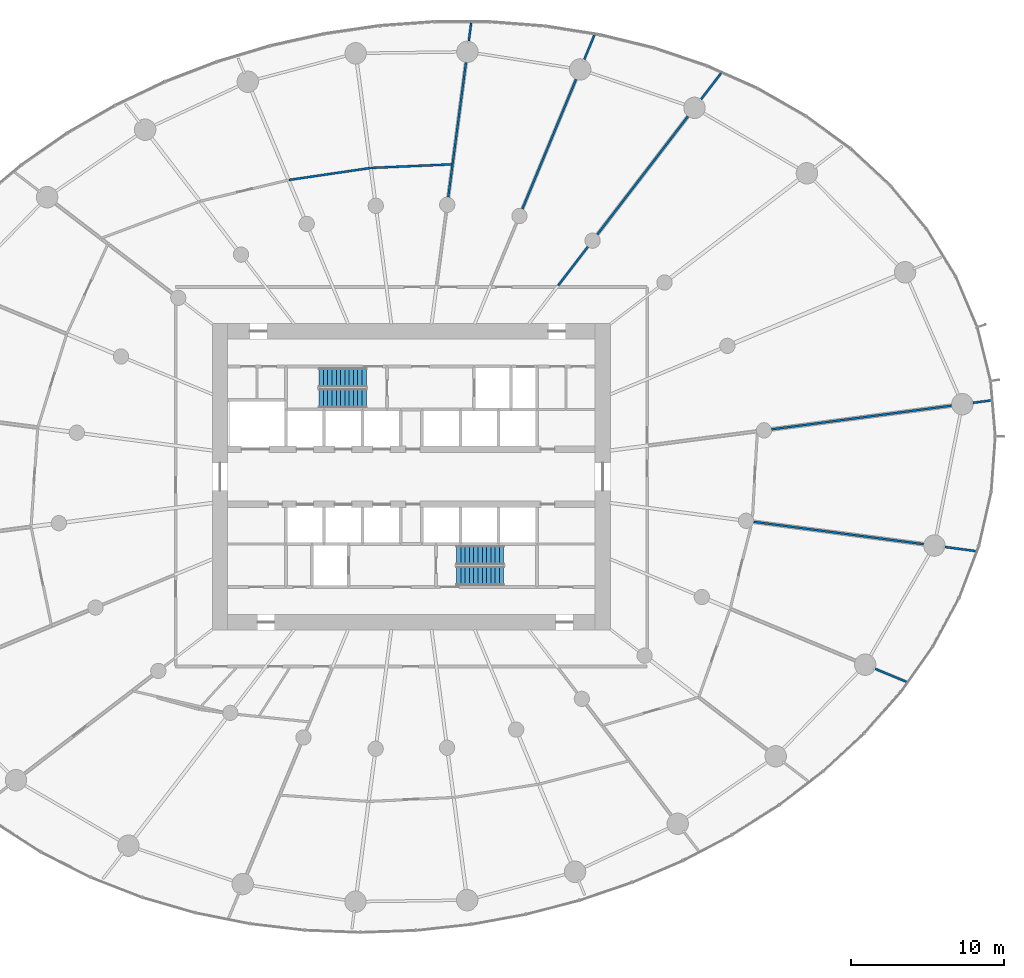
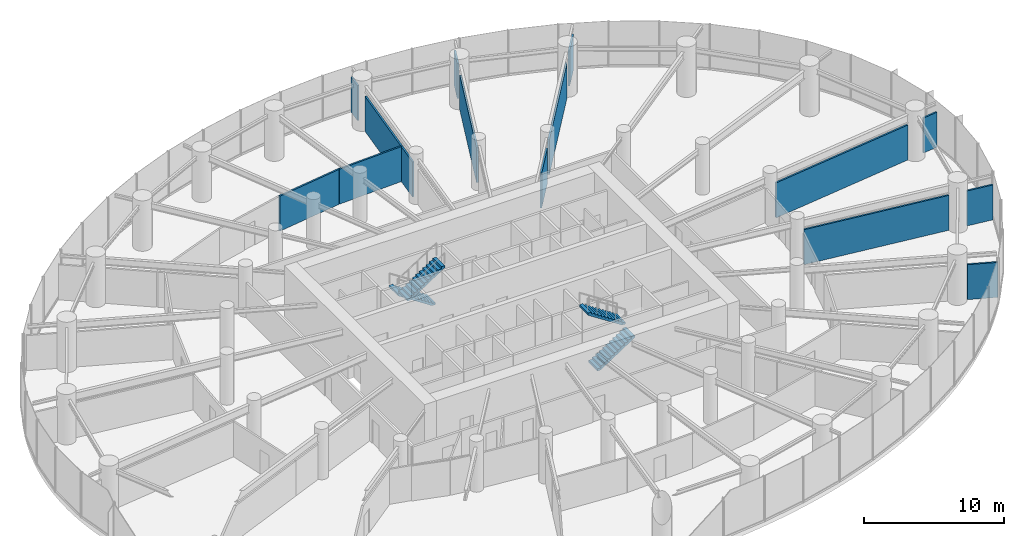
# One storey, part 16 of 19: 15 walls, 4 stair flights, 2 elements without a shape of their own.
"""IFC4 building model written with IfcOpenShell, lengths in metres."""

import ifcopenshell
import ifcopenshell.guid

model = None  # the IFC model being written
_history = None  # IfcOwnerHistory: only IFC2X3 demands one
_inside = {}  # id of a spatial element -> (the spatial element, [elements in it])
_under = {}  # id of a project, library or spatial element -> (it, [spatial elements below it])
_declared = {}  # id of a project -> (the project, [libraries it declares])
_typed = {}  # id of a type object -> (the type object, [elements of that type])
_made_of = {}  # id of a material, layer set ... -> (it, [elements and type objects made of it])


def new_model(schema):
    """Start an empty IFC model of exactly this schema.

    Asked for "IFC4X3", IfcOpenShell would pick the latest addendum, in which some entities
    have other attributes; the version numbers below select the first issue.
    IFC2X3 requires an IfcOwnerHistory on every rooted entity: one is made here for all.
    """
    global model, _history
    if schema == "IFC4X3":
        model = ifcopenshell.file(schema_version=(4, 3, 0, 0))
    else:
        model = ifcopenshell.file(schema=schema)
    _inside.clear()
    _under.clear()
    _declared.clear()
    _typed.clear()
    _made_of.clear()
    _history = None
    if model.schema == "IFC2X3":
        org = make("IfcOrganization", Name="unknown")
        user = make(
            "IfcPersonAndOrganization",
            ThePerson=make("IfcPerson", FamilyName="unknown"),
            TheOrganization=org,
        )
        app = make(
            "IfcApplication",
            ApplicationDeveloper=org,
            Version="unknown",
            ApplicationFullName="unknown",
            ApplicationIdentifier="unknown",
        )
        _history = make(
            "IfcOwnerHistory",
            OwningUser=user,
            OwningApplication=app,
            ChangeAction="ADDED",
            CreationDate=0,
        )
    return model


def make(cls, **values):
    """One entity of the class cls with the attributes given. An attribute that is None is left unset."""
    return model.create_entity(
        cls, **{name: value for name, value in values.items() if value is not None}
    )


def rooted(cls, **values):
    """An entity with a GlobalId (a new one), such as an element, a storey or a relation."""
    return make(cls, GlobalId=ifcopenshell.guid.new(), OwnerHistory=_history, **values)


def si_unit(unit_type, name, prefix=None):
    """IfcSIUnit, for example si_unit("LENGTHUNIT", "METRE", prefix="MILLI")."""
    return make("IfcSIUnit", UnitType=unit_type, Prefix=prefix, Name=name)


def assignment(units):
    """IfcUnitAssignment: the units of a project."""
    return None if units is None else make("IfcUnitAssignment", Units=units)


def point(xyz):
    """IfcCartesianPoint."""
    return None if xyz is None else make("IfcCartesianPoint", Coordinates=xyz)


def direction(xyz):
    """IfcDirection."""
    return None if xyz is None else make("IfcDirection", DirectionRatios=xyz)


def frame(location, z_axis=None, x_axis=None):
    """IfcAxis2Placement3D, a coordinate frame: its origin and axes. An axis left out is left unset."""
    return make(
        "IfcAxis2Placement3D",
        Location=point(location),
        Axis=direction(z_axis),
        RefDirection=direction(x_axis),
    )


def frame_2d(location, x_axis=None):
    """IfcAxis2Placement2D, a coordinate frame in the plane: its origin and x axis."""
    return make(
        "IfcAxis2Placement2D", Location=point(location), RefDirection=direction(x_axis)
    )


def origin():
    """The frame at (0, 0, 0) with its axes left unset."""
    return frame((0.0, 0.0, 0.0))


def place(relative_to, where):
    """IfcLocalPlacement: puts the frame where relative to a parent placement (None: the world)."""
    return make(
        "IfcLocalPlacement", PlacementRelTo=relative_to, RelativePlacement=where
    )


def context(
    kind, dimensions, precision=None, world=None, true_north=None, identifier=None
):
    """IfcGeometricRepresentationContext, for example the 3D "Model" context."""
    return make(
        "IfcGeometricRepresentationContext",
        ContextIdentifier=identifier,
        ContextType=kind,
        CoordinateSpaceDimension=dimensions,
        Precision=precision,
        WorldCoordinateSystem=world,
        TrueNorth=true_north,
    )


def subcontext(parent, identifier, kind, view, scale=None):
    """IfcGeometricRepresentationSubContext, for example "Body" below "Model"."""
    return make(
        "IfcGeometricRepresentationSubContext",
        ContextIdentifier=identifier,
        ContextType=kind,
        ParentContext=parent,
        TargetScale=scale,
        TargetView=view,
    )


def project(units=None, contexts=None):
    """IfcProject with its units and contexts."""
    return rooted(
        "IfcProject",
        Name="project",
        RepresentationContexts=contexts,
        UnitsInContext=assignment(units),
    )


def spatial(cls, under=None, at=None, **own):
    """A site, building, storey or space (cls), placed at a placement, below another one or the project."""
    s = rooted(cls, ObjectPlacement=at, **own)
    if under is not None:
        _under.setdefault(under.id(), (under, []))[1].append(s)
    return s


def point_list(points):
    """IfcCartesianPointList2D or 3D."""
    cls = (
        "IfcCartesianPointList2D" if len(points[0]) == 2 else "IfcCartesianPointList3D"
    )
    return make(cls, CoordList=points)


def line(*indices):
    """IfcLineIndex: a straight run through numbered points of an indexed curve."""
    return model.create_entity("IfcLineIndex", indices)


def indexed_curve(points, segments=None, self_intersect=None):
    """IfcIndexedPolyCurve: lines and arcs through numbered points (the first is 1)."""
    return make(
        "IfcIndexedPolyCurve",
        Points=point_list(points),
        Segments=segments,
        SelfIntersect=self_intersect,
    )


def profile(cls, at=None, kind="AREA", **sizes):
    """A parametric profile (cls). Its sizes go by their IFC names, for example OverallWidth=200.0."""
    return make(cls, ProfileType=kind, Position=at, **sizes)


def rectangle(**sizes):
    """IfcRectangleProfileDef."""
    return profile("IfcRectangleProfileDef", **sizes)


def outline(outer, holes=None, kind="AREA"):
    """IfcArbitraryClosedProfileDef: a profile drawn as a closed curve; with holes, ...WithVoids."""
    if holes is None:
        return make("IfcArbitraryClosedProfileDef", ProfileType=kind, OuterCurve=outer)
    return make(
        "IfcArbitraryProfileDefWithVoids",
        ProfileType=kind,
        OuterCurve=outer,
        InnerCurves=holes,
    )


def extrude(swept, where, along, depth):
    """IfcExtrudedAreaSolid: the profile swept, set in the frame where, extruded along a direction by depth."""
    return make(
        "IfcExtrudedAreaSolid",
        SweptArea=swept,
        Position=where,
        ExtrudedDirection=direction(along),
        Depth=depth,
    )


def shape(context_of_items, identifier, shape_type, items):
    """IfcShapeRepresentation: the items that make up one representation, for example the "Body"."""
    return make(
        "IfcShapeRepresentation",
        ContextOfItems=context_of_items,
        RepresentationIdentifier=identifier,
        RepresentationType=shape_type,
        Items=items,
    )


def material(Name=None, Category=None):
    """IfcMaterial."""
    return make("IfcMaterial", Name=Name, Category=Category)


def layer(
    of_material, thickness, ventilated=None, Name=None, Category=None, Priority=None
):
    """IfcMaterialLayer: one layer of a wall or slab, of a material (None: an air gap)."""
    return make(
        "IfcMaterialLayer",
        Material=of_material,
        LayerThickness=thickness,
        IsVentilated=ventilated,
        Name=Name,
        Category=Category,
        Priority=Priority,
    )


def layer_set(layers, Name=None):
    """IfcMaterialLayerSet."""
    return make("IfcMaterialLayerSet", MaterialLayers=layers, LayerSetName=Name)


def made_of(thing, what):
    """Note that an element or type object is made of a material, layer set ...; save() writes the relation."""
    if what is not None:
        _made_of.setdefault(what.id(), (what, []))[1].append(thing)
    return thing


def type_object(cls, material=None, **own):
    """A type object (cls), such as IfcWallType, which elements share."""
    return made_of(rooted(cls, **own), material)


def element(
    cls,
    number,
    at=None,
    inside=None,
    cuts=None,
    type_object=None,
    material=None,
    context=None,
    identifier="Body",
    shape_type=None,
    held_by="IfcProductDefinitionShape",
    body=None,
    shapes=None,
    **own,
):
    """One element of the class cls, such as IfcWall. Its Tag is "e" and its number.

    at: its placement. inside: the storey or other place that contains it. cuts: it is an
    opening in that element (IfcRelVoidsElement). A single representation is given by context,
    identifier, shape_type and body (its items); several are given by shapes. held_by: the class
    of the entity that holds the representations. save() writes the other relations.
    """
    e = rooted(cls, Tag="e%d" % number, ObjectPlacement=at, **own)
    if body is not None:
        shapes = [shape(context, identifier, shape_type, body)]
    if shapes is not None:
        e.Representation = make(held_by, Representations=shapes)
    if inside is not None:
        _inside.setdefault(inside.id(), (inside, []))[1].append(e)
    if cuts is not None:
        rooted(
            "IfcRelVoidsElement", RelatingBuildingElement=cuts, RelatedOpeningElement=e
        )
    if type_object is not None:
        _typed.setdefault(type_object.id(), (type_object, []))[1].append(e)
    return made_of(e, material)


def aggregate(whole, parts):
    """IfcRelAggregates: a whole, such as a stair, and the parts it consists of."""
    return rooted("IfcRelAggregates", RelatingObject=whole, RelatedObjects=parts)


def save(model, path):
    """Write the relations noted so far, then the file.

    IfcRelAggregates (storeys below a building ...), IfcRelContainedInSpatialStructure (elements
    in a storey), IfcRelDefinesByType, IfcRelAssociatesMaterial and IfcRelDeclares: one each for
    every whole, place, type object, material and project.
    """
    for whole, parts in _under.values():
        aggregate(whole, parts)
    for where, things in _inside.values():
        rooted(
            "IfcRelContainedInSpatialStructure",
            RelatedElements=things,
            RelatingStructure=where,
        )
    for kind, things in _typed.values():
        rooted("IfcRelDefinesByType", RelatedObjects=things, RelatingType=kind)
    for what, things in _made_of.values():
        rooted("IfcRelAssociatesMaterial", RelatedObjects=things, RelatingMaterial=what)
    for by, libraries in _declared.values():
        rooted("IfcRelDeclares", RelatingContext=by, RelatedDefinitions=libraries)
    model.write(path)


model = new_model("IFC4")

# Units and contexts
model_context = context("Model", 3, precision=1e-05, world=origin(), true_north=direction((0.0, 1.0)))
body_context = subcontext(model_context, "Body", "Model", "MODEL_VIEW")
ifc_project = project(units=[si_unit("LENGTHUNIT", "METRE"), si_unit("AREAUNIT", "SQUARE_METRE"), si_unit("VOLUMEUNIT", "CUBIC_METRE"), si_unit("PLANEANGLEUNIT", "RADIAN"), si_unit("MASSUNIT", "GRAM", prefix="KILO")], contexts=[model_context])

# Site, building, storey
site_placement = place(None, origin())
site = spatial("IfcSite", under=ifc_project, at=site_placement, CompositionType="ELEMENT")
building_placement = place(site_placement, origin())
building = spatial("IfcBuilding", under=site, at=building_placement, Name="Spindrift Exchange Tower", CompositionType="ELEMENT")
storey_placement = place(building_placement, frame((0.0, 0.0, 44.60009765625)))
storey = spatial("IfcBuildingStorey", under=building, at=storey_placement, Name="L10", CompositionType="ELEMENT", Elevation=44.60009765625)

# Walls
ifc_material_1 = material(Name="Fire-rated plasterboard partition", Category="gypsum")
ifc_layer_1 = layer(ifc_material_1, 0.139892578125)
ifc_layer_set_1 = layer_set([ifc_layer_1], Name="W-PART-140")
wall_type_1 = type_object("IfcWallType", Name="W-PART-140", PredefinedType="PARTITIONING", material=ifc_layer_set_1)
wall_1_placement = place(storey_placement, frame((75.533935546875, 51.098388671875, 0.0), z_axis=(0.0, 0.0, 1.0), x_axis=(0.991446586451, 0.130513088287, 0.0)))
element("IfcWall", 1, at=wall_1_placement, inside=storey, type_object=wall_type_1, Name="L10 Partition wall 65", PredefinedType="PARTITIONING", context=body_context, shape_type="SweptSolid", body=[
    extrude(rectangle(XDim=11.85986328125, YDim=0.139892578125, at=frame_2d((5.929931640625, 0.0))), origin(), (0.0, 0.0, 1.0), 3.0498046875),
])
wall_2_placement = place(storey_placement, frame((74.36328125, 45.055908203125, 0.0), z_axis=(0.0, 0.0, 1.0), x_axis=(0.991443306772, -0.130538000051, 0.0)))
element("IfcWall", 2, at=wall_2_placement, inside=storey, type_object=wall_type_1, Name="L10 Partition wall 66", PredefinedType="PARTITIONING", context=body_context, shape_type="SweptSolid", body=[
    extrude(rectangle(XDim=11.1953125, YDim=0.139892578125, at=frame_2d((5.59765625, 0.0))), origin(), (0.0, 0.0, 1.0), 3.0498046875),
])
wall_3_placement = place(storey_placement, frame((64.14208984375, 63.823974609375, 0.0), z_axis=(0.0, 0.0, 1.0), x_axis=(0.608770295053, 0.793346537057, 0.0)))
element("IfcWall", 3, at=wall_3_placement, inside=storey, type_object=wall_type_1, Name="L10 Partition wall 68", PredefinedType="PARTITIONING", context=body_context, shape_type="SweptSolid", body=[
    extrude(rectangle(XDim=9.727294921875, YDim=0.139892578125, at=frame_2d((4.86376953125, 0.0))), origin(), (0.0, 0.0, 1.0), 3.0498046875),
])
wall_4_placement = place(storey_placement, frame((49.343994140625, 68.174560546875, 0.0), z_axis=(0.0, 0.0, 1.0), x_axis=(-0.989377499091, -0.145369062366, 0.0)))
element("IfcWall", 4, at=wall_4_placement, inside=storey, type_object=wall_type_1, Name="L10 Partition wall 93", PredefinedType="PARTITIONING", context=body_context, shape_type="SweptSolid", body=[
    extrude(rectangle(XDim=5.401123046875, YDim=0.139892578125, at=frame_2d((2.70068359375, 0.0))), origin(), (0.0, 0.0, 1.0), 3.0498046875),
])
wall_5_placement = place(storey_placement, frame((54.6572265625, 68.409423828125, 0.0), z_axis=(0.0, 0.0, 1.0), x_axis=(-0.999023656057, -0.044178440869, 0.0)))
element("IfcWall", 5, at=wall_5_placement, inside=storey, type_object=wall_type_1, Name="L10 Partition wall 95", PredefinedType="PARTITIONING", context=body_context, shape_type="SweptSolid", body=[
    extrude(rectangle(XDim=5.28857421875, YDim=0.139892578125, at=frame_2d((2.644287109375, 0.0))), origin(), (0.0, 0.0, 1.0), 3.0498046875),
])
wall_6_placement = place(storey_placement, frame((61.583984375, 60.489990234375, 0.0), z_axis=(0.0, 0.0, 1.0), x_axis=(0.60874605662, 0.793365135703, 0.0)))
element("IfcWall", 6, at=wall_6_placement, inside=storey, type_object=wall_type_1, Name="L10 Partition wall 107", PredefinedType="PARTITIONING", context=body_context, shape_type="SweptSolid", body=[
    extrude(rectangle(XDim=3.193603515625, YDim=0.139892578125, at=frame_2d((1.5966796875, 0.0))), origin(), (0.0, 0.0, 1.0), 3.0498046875),
])
wall_7_placement = place(storey_placement, frame((82.2958984375, 35.450927734375, 0.0), z_axis=(0.0, 0.0, 1.0), x_axis=(0.923899948789, -0.382634139392, 0.0)))
element("IfcWall", 7, at=wall_7_placement, inside=storey, type_object=wall_type_1, Name="L10 Partition wall 112", PredefinedType="PARTITIONING", context=body_context, shape_type="SweptSolid", body=[
    extrude(rectangle(XDim=2.214599609375, YDim=0.139892578125, at=frame_2d((1.107421875, 0.0))), origin(), (0.0, 0.0, 1.0), 3.0498046875),
])
wall_8_placement = place(storey_placement, frame((70.9208984375, 72.658447265625, 0.0), z_axis=(0.0, 0.0, 1.0), x_axis=(0.608822106268, 0.793306777306, 0.0)))
element("IfcWall", 8, at=wall_8_placement, inside=storey, type_object=wall_type_1, Name="L10 Partition wall 117", PredefinedType="PARTITIONING", context=body_context, shape_type="SweptSolid", body=[
    extrude(rectangle(XDim=2.15185546875, YDim=0.139892578125, at=frame_2d((1.075927734375, 0.0))), origin(), (0.0, 0.0, 1.0), 3.0498046875),
])
wall_9_placement = place(storey_placement, frame((86.859375, 43.41064453125, 0.0), z_axis=(0.0, 0.0, 1.0), x_axis=(0.991443960057, -0.130533038219, 0.0)))
element("IfcWall", 9, at=wall_9_placement, inside=storey, type_object=wall_type_1, Name="L10 Partition wall 119", PredefinedType="PARTITIONING", context=body_context, shape_type="SweptSolid", body=[
    extrude(rectangle(XDim=2.010498046875, YDim=0.139892578125, at=frame_2d((1.00537109375, 0.0))), origin(), (0.0, 0.0, 1.0), 3.0498046875),
])
wall_10_placement = place(storey_placement, frame((88.688720703125, 52.830078125, 0.0), z_axis=(0.0, 0.0, 1.0), x_axis=(0.991424298155, 0.130682290411, 0.0)))
element("IfcWall", 10, at=wall_10_placement, inside=storey, type_object=wall_type_1, Name="L10 Partition wall 130", PredefinedType="PARTITIONING", context=body_context, shape_type="SweptSolid", body=[
    extrude(rectangle(XDim=1.219970703125, YDim=0.139892578125, at=frame_2d((0.60986328125, 0.0))), origin(), (0.0, 0.0, 1.0), 3.0498046875),
])
ifc_layer_2 = layer(ifc_material_1, 0.139892578125)
ifc_layer_set_2 = layer_set([ifc_layer_2], Name="W-PLANT-140")
wall_type_2 = type_object("IfcWallType", Name="W-PLANT-140", PredefinedType="PARTITIONING", material=ifc_layer_set_2)
wall_11_placement = place(storey_placement, frame((59.247802734375, 65.497802734375, 0.0), z_axis=(0.0, 0.0, 1.0), x_axis=(0.382672728165, 0.923883966264, 0.0)))
element("IfcWall", 11, at=wall_11_placement, inside=storey, type_object=wall_type_2, Name="L10 Partition wall 69", PredefinedType="PARTITIONING", context=body_context, shape_type="SweptSolid", body=[
    extrude(rectangle(XDim=9.15966796875, YDim=0.139892578125, at=frame_2d((4.579833984375, 0.0))), origin(), (0.0, 0.0, 1.0), 3.0498046875),
])
wall_12_placement = place(storey_placement, frame((54.68701171875, 68.41064453125, 0.0), z_axis=(0.0, 0.0, 1.0), x_axis=(0.130547690074, 0.99144203089, 0.0)))
element("IfcWall", 12, at=wall_12_placement, inside=storey, type_object=wall_type_2, Name="L10 Partition wall 77", PredefinedType="PARTITIONING", context=body_context, shape_type="SweptSolid", body=[
    extrude(rectangle(XDim=6.7099609375, YDim=0.139892578125, at=frame_2d((3.35498046875, 0.0))), origin(), (0.0, 0.0, 1.0), 3.0498046875),
])
wall_13_placement = place(storey_placement, frame((54.405029296875, 66.267333984375, 0.0), z_axis=(0.0, 0.0, 1.0), x_axis=(0.130430814721, 0.991457413393, 0.0)))
element("IfcWall", 13, at=wall_13_placement, inside=storey, type_object=wall_type_2, Name="L10 Partition wall 115", PredefinedType="PARTITIONING", context=body_context, shape_type="SweptSolid", body=[
    extrude(rectangle(XDim=2.132080078125, YDim=0.139892578125, at=frame_2d((1.06591796875, 0.0))), origin(), (0.0, 0.0, 1.0), 3.0498046875),
])
wall_14_placement = place(storey_placement, frame((63.29248046875, 75.2626953125, 0.0), z_axis=(0.0, 0.0, 1.0), x_axis=(0.382632674553, 0.923900555452, 0.0)))
element("IfcWall", 14, at=wall_14_placement, inside=storey, type_object=wall_type_2, Name="L10 Partition wall 126", PredefinedType="PARTITIONING", context=body_context, shape_type="SweptSolid", body=[
    extrude(rectangle(XDim=1.71435546875, YDim=0.139892578125, at=frame_2d((0.857177734375, 0.0))), origin(), (0.0, 0.0, 1.0), 3.0498046875),
])
wall_15_placement = place(storey_placement, frame((55.746826171875, 76.459716796875, 0.0), z_axis=(0.0, 0.0, 1.0), x_axis=(0.130449264586, 0.991454986053, 0.0)))
element("IfcWall", 15, at=wall_15_placement, inside=storey, type_object=wall_type_2, Name="L10 Partition wall 132", PredefinedType="PARTITIONING", context=body_context, shape_type="SweptSolid", body=[
    extrude(rectangle(XDim=1.203369140625, YDim=0.139892578125, at=frame_2d((0.6015625, 0.0))), origin(), (0.0, 0.0, 1.0), 3.0498046875),
])

# Stair, stair flights
ifc_material_2 = material(Name="Concrete 50 MPa", Category="concrete")
stair_type = type_object("IfcStairType", Name="ST-1250-R183", PredefinedType="HALF_TURN_STAIR", material=ifc_material_2)
stair_1_placement = place(storey_placement, origin())
stair_1 = element("IfcStair", 16, at=stair_1_placement, inside=storey, type_object=stair_type, Name="L10 Exit stair ST1", PredefinedType="HALF_TURN_STAIR")
stair_flight_type = type_object("IfcStairFlightType", Name="STF-1250-R183", PredefinedType="STRAIGHT", material=ifc_material_2)
stair_flight_1_placement = place(storey_placement, frame((49.050048828125, 54.47509765625, 0.0), z_axis=(0.0, 0.0, 1.0), x_axis=(-1.0, 0.0, 0.0)))
stair_flight_1 = element("IfcStairFlight", 17, at=stair_flight_1_placement, type_object=stair_flight_type, Name="ST1 flight 1", NumberOfRisers=12, NumberOfTreads=11, PredefinedType="STRAIGHT", RiserHeight=0.183333333, TreadLength=0.28, context=body_context, shape_type="SweptSolid", body=[
    extrude(outline(indexed_curve([(0.0, 0.0), (0.0, 0.18359375), (0.2802734375, 0.18359375), (0.2802734375, 0.3662109375), (0.5595703125, 0.3662109375), (0.5595703125, 0.5498046875), (0.83984375, 0.5498046875), (0.83984375, 0.7333984375), (1.1201171875, 0.7333984375), (1.1201171875, 0.9169921875), (1.400390625, 0.9169921875), (1.400390625, 1.099609375), (1.6796875, 1.099609375), (1.6796875, 1.283203125), (1.9599609375, 1.283203125), (1.9599609375, 1.466796875), (2.240234375, 1.466796875), (2.240234375, 1.650390625), (2.51953125, 1.650390625), (2.51953125, 1.8330078125), (2.7998046875, 1.8330078125), (2.7998046875, 2.0166015625), (3.080078125, 2.0166015625), (3.080078125, 2.2001953125), (3.080078125, 1.837890625), (0.2734375, 0.0)], segments=[line(1, 2, 3, 4, 5, 6, 7, 8, 9, 10, 11, 12, 13, 14, 15, 16, 17, 18, 19, 20, 21, 22, 23, 24, 25, 26, 1)], self_intersect=False)), frame((0.0, 0.625, 0.0), z_axis=(0.0, -1.0, 0.0), x_axis=(1.0, 0.0, 0.0)), (0.0, 0.0, 1.0), 1.25),
])
stair_flight_2_placement = place(storey_placement, frame((45.969970703125, 53.125, 2.199951171875), z_axis=(0.0, 0.0, 1.0), x_axis=(1.0, 0.0, 0.0)))
stair_flight_2 = element("IfcStairFlight", 18, at=stair_flight_2_placement, type_object=stair_flight_type, Name="ST1 flight 2", NumberOfRisers=12, NumberOfTreads=11, PredefinedType="STRAIGHT", RiserHeight=0.183333333, TreadLength=0.28, context=body_context, shape_type="SweptSolid", body=[
    extrude(outline(indexed_curve([(0.0, 0.0), (0.0, 0.18359375), (0.2802734375, 0.18359375), (0.2802734375, 0.3662109375), (0.5595703125, 0.3662109375), (0.5595703125, 0.5498046875), (0.83984375, 0.5498046875), (0.83984375, 0.7333984375), (1.1201171875, 0.7333984375), (1.1201171875, 0.9169921875), (1.400390625, 0.9169921875), (1.400390625, 1.099609375), (1.6796875, 1.099609375), (1.6796875, 1.283203125), (1.9599609375, 1.283203125), (1.9599609375, 1.466796875), (2.240234375, 1.466796875), (2.240234375, 1.650390625), (2.51953125, 1.650390625), (2.51953125, 1.8330078125), (2.7998046875, 1.8330078125), (2.7998046875, 2.0166015625), (3.080078125, 2.0166015625), (3.080078125, 2.2001953125), (3.080078125, 1.837890625), (0.2734375, 0.0)], segments=[line(1, 2, 3, 4, 5, 6, 7, 8, 9, 10, 11, 12, 13, 14, 15, 16, 17, 18, 19, 20, 21, 22, 23, 24, 25, 26, 1)], self_intersect=False)), frame((0.0, 0.625, 0.0), z_axis=(0.0, -1.0, 0.0), x_axis=(1.0, 0.0, 0.0)), (0.0, 0.0, 1.0), 1.25),
])
aggregate(stair_1, [stair_flight_1, stair_flight_2])

stair_2_placement = place(storey_placement, origin())
stair_2 = element("IfcStair", 19, at=stair_2_placement, inside=storey, type_object=stair_type, Name="L10 Exit stair ST2", PredefinedType="HALF_TURN_STAIR")
stair_flight_3_placement = place(storey_placement, frame((54.949951171875, 41.52490234375, 0.0), z_axis=(0.0, 0.0, 1.0), x_axis=(1.0, 0.0, 0.0)))
stair_flight_3 = element("IfcStairFlight", 20, at=stair_flight_3_placement, type_object=stair_flight_type, Name="ST2 flight 1", NumberOfRisers=12, NumberOfTreads=11, PredefinedType="STRAIGHT", RiserHeight=0.183333333, TreadLength=0.28, context=body_context, shape_type="SweptSolid", body=[
    extrude(outline(indexed_curve([(0.0, 0.0), (0.0, 0.18359375), (0.2802734375, 0.18359375), (0.2802734375, 0.3662109375), (0.5595703125, 0.3662109375), (0.5595703125, 0.5498046875), (0.83984375, 0.5498046875), (0.83984375, 0.7333984375), (1.1201171875, 0.7333984375), (1.1201171875, 0.9169921875), (1.400390625, 0.9169921875), (1.400390625, 1.099609375), (1.6796875, 1.099609375), (1.6796875, 1.283203125), (1.9599609375, 1.283203125), (1.9599609375, 1.466796875), (2.240234375, 1.466796875), (2.240234375, 1.650390625), (2.51953125, 1.650390625), (2.51953125, 1.8330078125), (2.7998046875, 1.8330078125), (2.7998046875, 2.0166015625), (3.080078125, 2.0166015625), (3.080078125, 2.2001953125), (3.080078125, 1.837890625), (0.2734375, 0.0)], segments=[line(1, 2, 3, 4, 5, 6, 7, 8, 9, 10, 11, 12, 13, 14, 15, 16, 17, 18, 19, 20, 21, 22, 23, 24, 25, 26, 1)], self_intersect=False)), frame((0.0, 0.625, 0.0), z_axis=(0.0, -1.0, 0.0), x_axis=(1.0, 0.0, 0.0)), (0.0, 0.0, 1.0), 1.25),
])
stair_flight_4_placement = place(storey_placement, frame((58.030029296875, 42.875, 2.199951171875), z_axis=(0.0, 0.0, 1.0), x_axis=(-1.0, 0.0, 0.0)))
stair_flight_4 = element("IfcStairFlight", 21, at=stair_flight_4_placement, type_object=stair_flight_type, Name="ST2 flight 2", NumberOfRisers=12, NumberOfTreads=11, PredefinedType="STRAIGHT", RiserHeight=0.183333333, TreadLength=0.28, context=body_context, shape_type="SweptSolid", body=[
    extrude(outline(indexed_curve([(0.0, 0.0), (0.0, 0.18359375), (0.2802734375, 0.18359375), (0.2802734375, 0.3662109375), (0.5595703125, 0.3662109375), (0.5595703125, 0.5498046875), (0.83984375, 0.5498046875), (0.83984375, 0.7333984375), (1.1201171875, 0.7333984375), (1.1201171875, 0.9169921875), (1.400390625, 0.9169921875), (1.400390625, 1.099609375), (1.6796875, 1.099609375), (1.6796875, 1.283203125), (1.9599609375, 1.283203125), (1.9599609375, 1.466796875), (2.240234375, 1.466796875), (2.240234375, 1.650390625), (2.51953125, 1.650390625), (2.51953125, 1.8330078125), (2.7998046875, 1.8330078125), (2.7998046875, 2.0166015625), (3.080078125, 2.0166015625), (3.080078125, 2.2001953125), (3.080078125, 1.837890625), (0.2734375, 0.0)], segments=[line(1, 2, 3, 4, 5, 6, 7, 8, 9, 10, 11, 12, 13, 14, 15, 16, 17, 18, 19, 20, 21, 22, 23, 24, 25, 26, 1)], self_intersect=False)), frame((0.0, 0.625, 0.0), z_axis=(0.0, -1.0, 0.0), x_axis=(1.0, 0.0, 0.0)), (0.0, 0.0, 1.0), 1.25),
])
aggregate(stair_2, [stair_flight_3, stair_flight_4])

save(model, "model.ifc")
